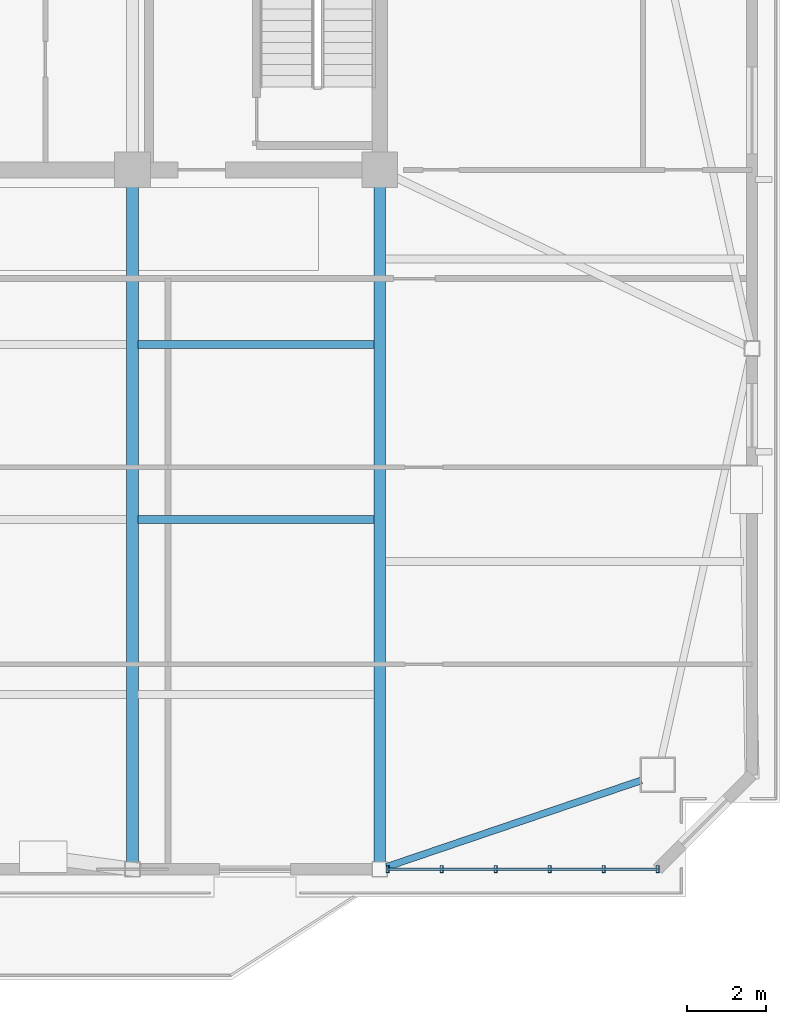
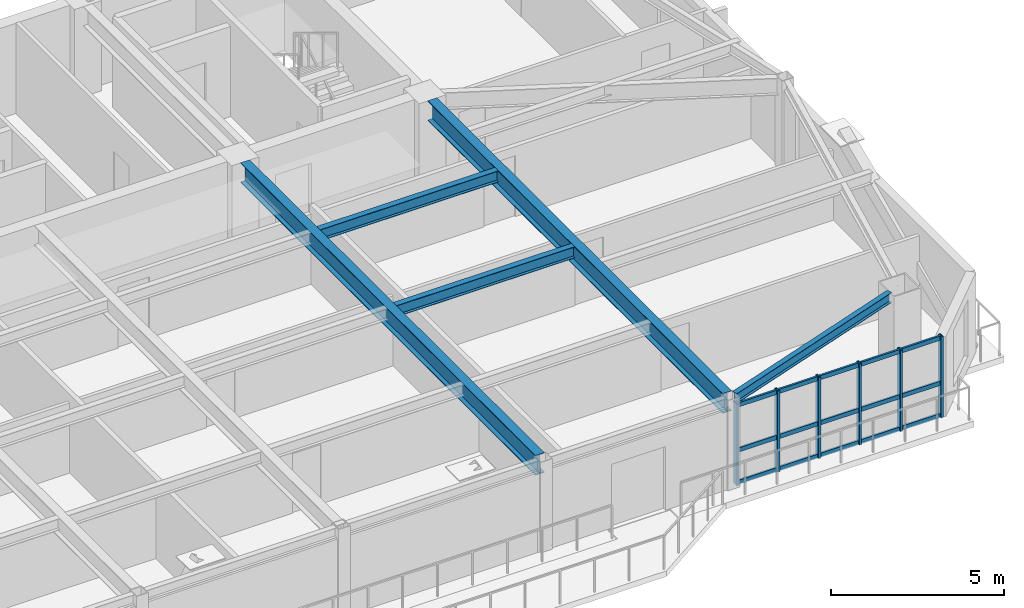
# One storey, part 4 of 13: 9 members, 5 beams, 1 element without a shape of its own.
"""IFC4 building model written with IfcOpenShell, lengths in metres."""

from ifc_helpers import new_model, si_unit, direction, frame, origin, origin_2d, place, context, subcontext, project, spatial, hollow_rectangle, i_section, extrude, source, transform, mapped, material, layer, layer_set, material_profile, profile_set, type_object, element, aggregate, save


model = new_model("IFC4")

# Units and contexts
model_context = context("Model", 3, precision=1e-05, world=origin(), true_north=direction((0.0, 1.0)))
body_context = subcontext(model_context, "Body", "Model", "MODEL_VIEW")
ifc_project = project(units=[si_unit("LENGTHUNIT", "METRE"), si_unit("AREAUNIT", "SQUARE_METRE"), si_unit("VOLUMEUNIT", "CUBIC_METRE"), si_unit("PLANEANGLEUNIT", "RADIAN"), si_unit("MASSUNIT", "GRAM", prefix="KILO")], contexts=[model_context])

# Site, building, storey
site_placement = place(None, origin())
site = spatial("IfcSite", under=ifc_project, at=site_placement, CompositionType="ELEMENT")
building_placement = place(site_placement, origin())
building = spatial("IfcBuilding", under=site, at=building_placement, Name="Giltprow Tower", CompositionType="ELEMENT")
storey_placement = place(building_placement, frame((0.0, 0.0, 304.0)))
storey = spatial("IfcBuildingStorey", under=building, at=storey_placement, Name="L78", CompositionType="ELEMENT", Elevation=304.0)

# Beams
ifc_material_1 = material(Name="Structural steel Q355B", Category="steel")
ifc_material_profile_1 = material_profile(ifc_material_1, i_section(OverallWidth=0.199951171875, OverallDepth=0.39990234375, WebThickness=0.008056640625, FlangeThickness=0.012939453125, at=origin_2d()), Name="HN 400x200x8x13")
ifc_profile_set_1 = profile_set([ifc_material_profile_1], Name="Structural steel Q355B")
beam_type_1 = type_object("IfcBeamType", Name="BM-JOIST-HN400", PredefinedType="JOIST", material=ifc_profile_set_1)
shared_shape_1 = source(origin(), body_context, "Body", "SweptSolid", [
    extrude(i_section(OverallWidth=0.199951171875, OverallDepth=0.39990234375, WebThickness=0.008056640625, FlangeThickness=0.012939453125, at=origin_2d()), origin(), (0.0, 0.0, 1.0), 5.9599609375),
])
for number, where, z_axis, x_axis, name in (
    (1, (44.445068359375, 28.611083984375, 2.985107421875), (1.0, 0.0, 0.0), (0.0, 1.0, 0.0), "L78 Composite Floor Joist 2-4"),
    (2, (44.445068359375, 33.031005859375, 2.985107421875), (1.0, 0.0, 0.0), (0.0, 1.0, 0.0), "L78 Composite Floor Joist 3-4"),
):
    element("IfcBeam", number, at=place(storey_placement, frame(where, z_axis=z_axis, x_axis=x_axis)), inside=storey, type_object=beam_type_1, Name=name, PredefinedType="JOIST", context=body_context, shape_type="MappedRepresentation", body=[
        mapped(shared_shape_1, transform((0.0, 0.0, 0.0), x_axis=(1.0, 0.0, 0.0), y_axis=(0.0, 1.0, 0.0), z_axis=(0.0, 0.0, 1.0), scale=1.0)),
    ])
ifc_material_profile_2 = material_profile(ifc_material_1, i_section(OverallWidth=0.175048828125, OverallDepth=0.35009765625, WebThickness=0.007080078125, FlangeThickness=0.010986328125, at=origin_2d()), Name="HN 350x175x7x11")
ifc_profile_set_2 = profile_set([ifc_material_profile_2], Name="Structural steel Q355B")
beam_type_2 = type_object("IfcBeamType", Name="BM-SPAN-HN350", PredefinedType="SPANDREL", material=ifc_profile_set_2)
shared_shape_2 = source(origin(), body_context, "Body", "SweptSolid", [
    extrude(i_section(OverallWidth=0.175048828125, OverallDepth=0.35009765625, WebThickness=0.007080078125, FlangeThickness=0.010986328125, at=origin_2d()), origin(), (0.0, 0.0, 1.0), 6.799072265625),
])
beam_placement = place(storey_placement, frame((50.72509765625, 19.8310546875, 3.010009765625), z_axis=(0.946901804607, 0.321522895656, 0.0), x_axis=(-0.321522895656, 0.946901804607, 0.0)))
element("IfcBeam", 3, at=beam_placement, inside=storey, type_object=beam_type_2, Name="L78 Perimeter Spandrel Beam S4-MC_SE", PredefinedType="SPANDREL", context=body_context, shape_type="MappedRepresentation", body=[
    mapped(shared_shape_2, transform((0.0, 0.0, 0.0), x_axis=(1.0, 0.0, 0.0), y_axis=(0.0, 1.0, 0.0), z_axis=(0.0, 0.0, 1.0), scale=1.0)),
])
ifc_material_profile_3 = material_profile(ifc_material_1, i_section(OverallWidth=0.300048828125, OverallDepth=0.699951171875, WebThickness=0.012939453125, FlangeThickness=0.02392578125, at=origin_2d()), Name="HN 700x300x13x24")
ifc_profile_set_3 = profile_set([ifc_material_profile_3], Name="Structural steel Q355B")
beam_type_3 = type_object("IfcBeamType", Name="BM-GIRD-HN700", PredefinedType="BEAM", material=ifc_profile_set_3)
shared_shape_3 = source(origin(), body_context, "Body", "SweptSolid", [
    extrude(i_section(OverallWidth=0.300048828125, OverallDepth=0.699951171875, WebThickness=0.012939453125, FlangeThickness=0.02392578125, at=origin_2d()), origin(), (0.0, 0.0, 1.0), 17.057861328125),
])
for number, where, z_axis, x_axis, name in (
    (4, (44.300048828125, 19.95703125, 2.8349609375), (0.0, 1.0, 0.0), (-1.0, 0.0, 0.0), "L78 Primary Lease Girder S3"),
    (5, (50.550048828125, 19.95703125, 2.8349609375), (0.0, 1.0, 0.0), (-1.0, 0.0, 0.0), "L78 Primary Lease Girder S4"),
):
    element("IfcBeam", number, at=place(storey_placement, frame(where, z_axis=z_axis, x_axis=x_axis)), inside=storey, type_object=beam_type_3, Name=name, PredefinedType="BEAM", context=body_context, shape_type="MappedRepresentation", body=[
        mapped(shared_shape_3, transform((0.0, 0.0, 0.0), x_axis=(1.0, 0.0, 0.0), y_axis=(0.0, 1.0, 0.0), z_axis=(0.0, 0.0, 1.0), scale=1.0)),
    ])

# Curtain wall, members
ifc_material_2 = material(Name="Anodized bronze", Category="metal")
ifc_layer = layer(ifc_material_2, 0.179931640625, Name="Anodized bronze")
ifc_layer_set = layer_set([ifc_layer], Name="Anodized bronze")
curtain_wall_type = type_object("IfcCurtainWallType", Name="CW-RES-SKY", PredefinedType="NOTDEFINED", material=ifc_layer_set)
curtain_wall_placement = place(storey_placement, origin())
curtain_wall = element("IfcCurtainWall", 6, at=curtain_wall_placement, inside=storey, type_object=curtain_wall_type, Name="L78 South Recessed Curtain Wall 6", PredefinedType="NOTDEFINED")
ifc_material_profile_4 = material_profile(ifc_material_2, hollow_rectangle(XDim=0.074951171875, YDim=0.179931640625, WallThickness=0.008056640625, at=origin_2d()), Name="RHS 180x75x8")
ifc_profile_set_4 = profile_set([ifc_material_profile_4], Name="Anodized bronze")
member_type_1 = type_object("IfcMemberType", Name="CW-MULLION-180x75", PredefinedType="MULLION", material=ifc_profile_set_4)
shared_shape_4 = source(origin(), body_context, "Body", "SweptSolid", [
    extrude(hollow_rectangle(XDim=0.074951171875, YDim=0.179931640625, WallThickness=0.008056640625, at=origin_2d()), origin(), (0.0, 0.0, 1.0), 2.8701171875),
])
member_1_placement = place(storey_placement, frame((50.75, 19.77197265625, -0.02001953125), z_axis=(0.0, 0.0, 1.0), x_axis=(1.0, 0.0, 0.0)))
member_1 = element("IfcMember", 7, at=member_1_placement, type_object=member_type_1, Name="L78 South Recessed Curtain Wall 6 Mullion 1", PredefinedType="MULLION", context=body_context, shape_type="MappedRepresentation", body=[
    mapped(shared_shape_4, transform((0.0, 0.0, 0.0), x_axis=(1.0, 0.0, 0.0), y_axis=(0.0, 1.0, 0.0), z_axis=(0.0, 0.0, 1.0), scale=1.0)),
])
member_2_placement = place(storey_placement, frame((52.114990234375, 19.77197265625, -0.02001953125), z_axis=(0.0, 0.0, 1.0), x_axis=(1.0, 0.0, 0.0)))
member_2 = element("IfcMember", 8, at=member_2_placement, type_object=member_type_1, Name="L78 South Recessed Curtain Wall 6 Mullion 2", PredefinedType="MULLION", context=body_context, shape_type="MappedRepresentation", body=[
    mapped(shared_shape_4, transform((0.0, 0.0, 0.0), x_axis=(1.0, 0.0, 0.0), y_axis=(0.0, 1.0, 0.0), z_axis=(0.0, 0.0, 1.0), scale=1.0)),
])
member_3_placement = place(storey_placement, frame((53.47998046875, 19.77197265625, -0.02001953125), z_axis=(0.0, 0.0, 1.0), x_axis=(1.0, 0.0, 0.0)))
member_3 = element("IfcMember", 9, at=member_3_placement, type_object=member_type_1, Name="L78 South Recessed Curtain Wall 6 Mullion 3", PredefinedType="MULLION", context=body_context, shape_type="MappedRepresentation", body=[
    mapped(shared_shape_4, transform((0.0, 0.0, 0.0), x_axis=(1.0, 0.0, 0.0), y_axis=(0.0, 1.0, 0.0), z_axis=(0.0, 0.0, 1.0), scale=1.0)),
])
member_4_placement = place(storey_placement, frame((54.844970703125, 19.77197265625, -0.02001953125), z_axis=(0.0, 0.0, 1.0), x_axis=(1.0, 0.0, 0.0)))
member_4 = element("IfcMember", 10, at=member_4_placement, type_object=member_type_1, Name="L78 South Recessed Curtain Wall 6 Mullion 4", PredefinedType="MULLION", context=body_context, shape_type="MappedRepresentation", body=[
    mapped(shared_shape_4, transform((0.0, 0.0, 0.0), x_axis=(1.0, 0.0, 0.0), y_axis=(0.0, 1.0, 0.0), z_axis=(0.0, 0.0, 1.0), scale=1.0)),
])
member_5_placement = place(storey_placement, frame((56.2099609375, 19.77197265625, -0.02001953125), z_axis=(0.0, 0.0, 1.0), x_axis=(1.0, 0.0, 0.0)))
member_5 = element("IfcMember", 11, at=member_5_placement, type_object=member_type_1, Name="L78 South Recessed Curtain Wall 6 Mullion 5", PredefinedType="MULLION", context=body_context, shape_type="MappedRepresentation", body=[
    mapped(shared_shape_4, transform((0.0, 0.0, 0.0), x_axis=(1.0, 0.0, 0.0), y_axis=(0.0, 1.0, 0.0), z_axis=(0.0, 0.0, 1.0), scale=1.0)),
])
member_6_placement = place(storey_placement, frame((57.574951171875, 19.77197265625, -0.02001953125), z_axis=(0.0, 0.0, 1.0), x_axis=(1.0, 0.0, 0.0)))
member_6 = element("IfcMember", 12, at=member_6_placement, type_object=member_type_1, Name="L78 South Recessed Curtain Wall 6 Mullion 6", PredefinedType="MULLION", context=body_context, shape_type="MappedRepresentation", body=[
    mapped(shared_shape_4, transform((0.0, 0.0, 0.0), x_axis=(1.0, 0.0, 0.0), y_axis=(0.0, 1.0, 0.0), z_axis=(0.0, 0.0, 1.0), scale=1.0)),
])
ifc_material_profile_5 = material_profile(ifc_material_2, hollow_rectangle(XDim=0.06494140625, YDim=0.14990234375, WallThickness=0.006103515625, at=origin_2d()), Name="RHS 150x65x6")
ifc_profile_set_5 = profile_set([ifc_material_profile_5], Name="Anodized bronze")
member_type_2 = type_object("IfcMemberType", Name="CW-TRANSOM-150x65", PredefinedType="USERDEFINED", material=ifc_profile_set_5)
shared_shape_5 = source(origin(), body_context, "Body", "SweptSolid", [
    extrude(hollow_rectangle(XDim=0.06494140625, YDim=0.14990234375, WallThickness=0.006103515625, at=origin_2d()), origin(), (0.0, 0.0, 1.0), 6.824951171875),
])
member_7_placement = place(storey_placement, frame((50.75, 19.77197265625, 0.0400390625), z_axis=(1.0, 0.0, 0.0), x_axis=(0.0, 1.0, 0.0)))
member_7 = element("IfcMember", 13, at=member_7_placement, type_object=member_type_2, Name="L78 South Recessed Curtain Wall 6 Transom 1", ObjectType="TRANSOM", PredefinedType="USERDEFINED", context=body_context, shape_type="MappedRepresentation", body=[
    mapped(shared_shape_5, transform((0.0, 0.0, 0.0), x_axis=(1.0, 0.0, 0.0), y_axis=(0.0, 1.0, 0.0), z_axis=(0.0, 0.0, 1.0), scale=1.0)),
])
member_8_placement = place(storey_placement, frame((50.75, 19.77197265625, 1.181884765625), z_axis=(1.0, 0.0, 0.0), x_axis=(0.0, 1.0, 0.0)))
member_8 = element("IfcMember", 14, at=member_8_placement, type_object=member_type_2, Name="L78 South Recessed Curtain Wall 6 Transom 2", ObjectType="TRANSOM", PredefinedType="USERDEFINED", context=body_context, shape_type="MappedRepresentation", body=[
    mapped(shared_shape_5, transform((0.0, 0.0, 0.0), x_axis=(1.0, 0.0, 0.0), y_axis=(0.0, 1.0, 0.0), z_axis=(0.0, 0.0, 1.0), scale=1.0)),
])
member_9_placement = place(storey_placement, frame((50.75, 19.77197265625, 2.77490234375), z_axis=(1.0, 0.0, 0.0), x_axis=(0.0, 1.0, 0.0)))
member_9 = element("IfcMember", 15, at=member_9_placement, type_object=member_type_2, Name="L78 South Recessed Curtain Wall 6 Transom 3", ObjectType="TRANSOM", PredefinedType="USERDEFINED", context=body_context, shape_type="MappedRepresentation", body=[
    mapped(shared_shape_5, transform((0.0, 0.0, 0.0), x_axis=(1.0, 0.0, 0.0), y_axis=(0.0, 1.0, 0.0), z_axis=(0.0, 0.0, 1.0), scale=1.0)),
])
aggregate(curtain_wall, [member_1, member_2, member_3, member_4, member_5, member_6, member_7, member_8, member_9])

save(model, "model.ifc")
